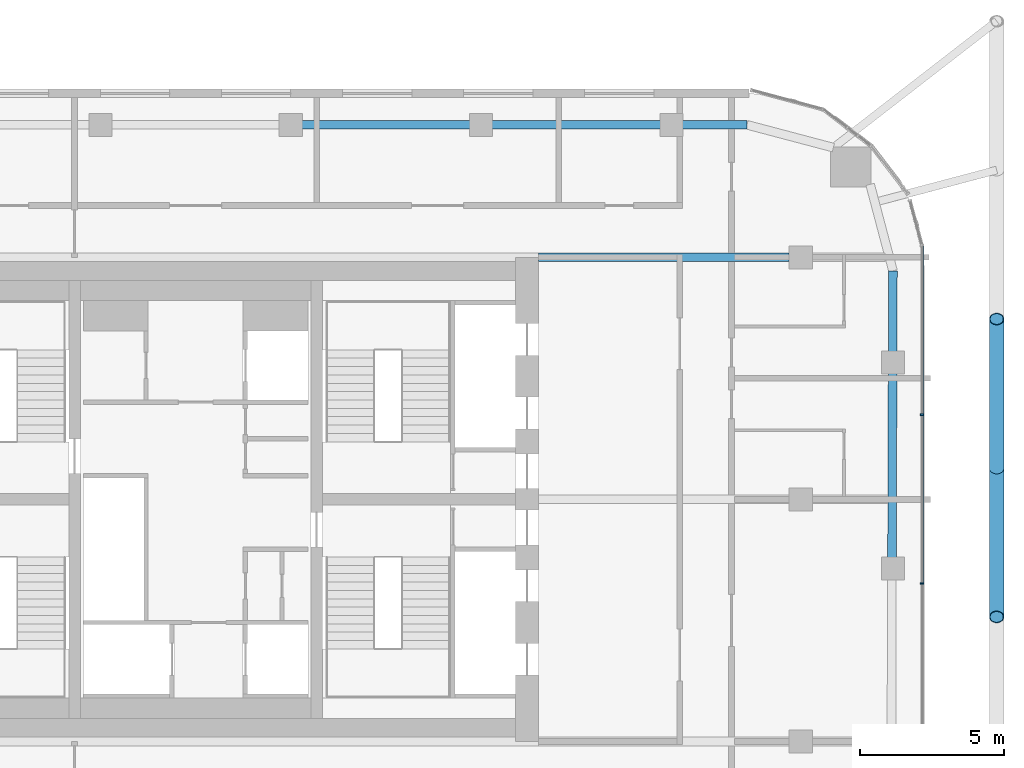
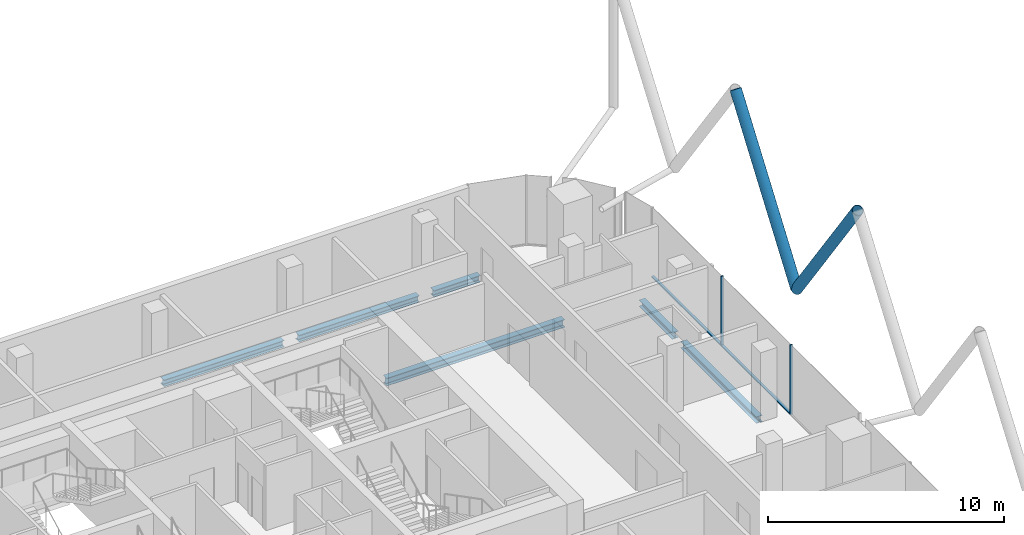
# One storey, part 10 of 31: 6 beams, 6 members, 1 element without a shape of its own.
"""IFC4 building model written with IfcOpenShell, lengths in metres."""

from ifc_helpers import new_model, si_unit, direction, frame, origin, origin_2d, place, context, subcontext, project, spatial, rectangle, hollow_circle, i_section, extrude, material, layer, layer_set, material_profile, profile_set, type_object, element, aggregate, save


model = new_model("IFC4")

# Units and contexts
model_context = context("Model", 3, precision=1e-05, world=origin(), true_north=direction((0.0, 1.0)))
body_context = subcontext(model_context, "Body", "Model", "MODEL_VIEW")
ifc_project = project(units=[si_unit("LENGTHUNIT", "METRE"), si_unit("AREAUNIT", "SQUARE_METRE"), si_unit("VOLUMEUNIT", "CUBIC_METRE"), si_unit("PLANEANGLEUNIT", "RADIAN"), si_unit("MASSUNIT", "GRAM", prefix="KILO")], contexts=[model_context])

# Site, building, storey
site_placement = place(None, origin())
site = spatial("IfcSite", under=ifc_project, at=site_placement, CompositionType="ELEMENT")
building_placement = place(site_placement, origin())
building = spatial("IfcBuilding", under=site, at=building_placement, Name="Marenta Gate Hotel Tower", CompositionType="ELEMENT")
storey_placement = place(building_placement, frame((0.0, 0.0, 205.699951171875)))
storey = spatial("IfcBuildingStorey", under=building, at=storey_placement, Name="L47", CompositionType="ELEMENT", Elevation=205.699951171875)

# Members
ifc_material_1 = material(Name="Steel S355J2W", Category="steel")
ifc_material_profile_1 = material_profile(ifc_material_1, hollow_circle(Radius=0.25390625, WallThickness=0.02490234375, at=origin_2d()), Name="CHS 508x25")
ifc_profile_set_1 = profile_set([ifc_material_profile_1], Name="Steel S355J2W")
member_type_1 = type_object("IfcMemberType", Name="Diagrid diagonal Z3 CHS 508x25", PredefinedType="BRACE", material=ifc_profile_set_1)
member_1_placement = place(storey_placement, frame((27.800048828125, 9.489990234375, 3.14013671875), z_axis=(0.0, 0.583260841117, 0.812284919975), x_axis=(-1.0, 0.0, 0.0)))
element("IfcMember", 1, at=member_1_placement, inside=storey, type_object=member_type_1, Name="L47-DG-3", PredefinedType="BRACE", context=body_context, shape_type="SweptSolid", body=[
    extrude(hollow_circle(Radius=0.25390625, WallThickness=0.02490234375, at=origin_2d()), origin(), (0.0, 0.0, 1.0), 8.86376953125),
])
member_2_placement = place(storey_placement, frame((27.800048828125, 9.489990234375, 3.14013671875), z_axis=(0.0, -0.583279014058, 0.812271870595), x_axis=(1.0, 0.0, 0.0)))
element("IfcMember", 2, at=member_2_placement, inside=storey, type_object=member_type_1, Name="L47-DG-4", PredefinedType="BRACE", context=body_context, shape_type="SweptSolid", body=[
    extrude(hollow_circle(Radius=0.25390625, WallThickness=0.02490234375, at=origin_2d()), origin(), (0.0, 0.0, 1.0), 8.864013671875),
])

# Beams
ifc_material_2 = material(Name="Steel S355", Category="steel")
ifc_material_profile_2 = material_profile(ifc_material_2, i_section(OverallWidth=0.300048828125, OverallDepth=0.340087890625, WebThickness=0.011962890625, FlangeThickness=0.021484375, FilletRadius=0.027099609375, at=origin_2d()), Name="HEB 340")
ifc_profile_set_2 = profile_set([ifc_material_profile_2], Name="Steel S355")
beam_type_1 = type_object("IfcBeamType", Name="Edge beam HEB 340", PredefinedType="SPANDREL", material=ifc_profile_set_2)
for number, where, z_axis, x_axis, name in (
    (3, (3.661376953125, 21.39990234375, -0.429931640625), (1.0, 0.0, 0.0), (0.0, 1.0, 0.0), "L47-EB-17"),
    (4, (10.26416015625, 21.39990234375, -0.429931640625), (1.0, 0.0, 0.0), (0.0, 1.0, 0.0), "L47-EB-18"),
):
    element("IfcBeam", number, at=place(storey_placement, frame(where, z_axis=z_axis, x_axis=x_axis)), inside=storey, type_object=beam_type_1, Name=name, PredefinedType="SPANDREL", context=body_context, shape_type="SweptSolid", body=[
        extrude(i_section(OverallWidth=0.300048828125, OverallDepth=0.340087890625, WebThickness=0.011962890625, FlangeThickness=0.021484375, FilletRadius=0.027099609375, at=origin_2d()), origin(), (0.0, 0.0, 1.0), 5.8828125),
    ])
beam_1_placement = place(storey_placement, frame((16.866943359375, 21.39990234375, -0.429931640625), z_axis=(1.0, 0.0, 0.0), x_axis=(0.0, 1.0, 0.0)))
element("IfcBeam", 5, at=beam_1_placement, inside=storey, type_object=beam_type_1, Name="L47-EB-19", PredefinedType="SPANDREL", context=body_context, shape_type="SweptSolid", body=[
    extrude(i_section(OverallWidth=0.300048828125, OverallDepth=0.340087890625, WebThickness=0.011962890625, FlangeThickness=0.021484375, FilletRadius=0.027099609375, at=origin_2d()), origin(), (0.0, 0.0, 1.0), 2.267578125),
])
beam_2_placement = place(storey_placement, frame((24.199951171875, 16.33447265625, -0.429931640625), z_axis=(-0.003292020626, -0.999994581285, 0.0), x_axis=(0.999994581285, -0.003292020626, 0.0)))
element("IfcBeam", 6, at=beam_2_placement, inside=storey, type_object=beam_type_1, Name="L47-EB-22", PredefinedType="SPANDREL", context=body_context, shape_type="SweptSolid", body=[
    extrude(i_section(OverallWidth=0.300048828125, OverallDepth=0.340087890625, WebThickness=0.011962890625, FlangeThickness=0.021484375, FilletRadius=0.027099609375, at=origin_2d()), origin(), (0.0, 0.0, 1.0), 2.818115234375),
])
beam_3_placement = place(storey_placement, frame((24.188232421875, 12.79638671875, -0.429931640625), z_axis=(-0.00333963982, -0.999994423387, 0.0), x_axis=(0.999994423387, -0.00333963982, 0.0)))
element("IfcBeam", 7, at=beam_3_placement, inside=storey, type_object=beam_type_1, Name="L47-EB-23", PredefinedType="SPANDREL", context=body_context, shape_type="SweptSolid", body=[
    extrude(i_section(OverallWidth=0.300048828125, OverallDepth=0.340087890625, WebThickness=0.011962890625, FlangeThickness=0.021484375, FilletRadius=0.027099609375, at=origin_2d()), origin(), (0.0, 0.0, 1.0), 6.43310546875),
])
ifc_material_3 = material(Name="Steel S355", Category="steel")
ifc_material_profile_3 = material_profile(ifc_material_3, i_section(OverallWidth=0.300048828125, OverallDepth=0.39990234375, WebThickness=0.013427734375, FlangeThickness=0.02392578125, FilletRadius=0.027099609375, at=origin_2d()), Name="HEB 400")
ifc_profile_set_3 = profile_set([ifc_material_profile_3], Name="Steel S355")
beam_type_2 = type_object("IfcBeamType", Name="Girder HEB 400", PredefinedType="BEAM", material=ifc_profile_set_3)
beam_4_placement = place(storey_placement, frame((11.89990234375, 16.800048828125, -0.4599609375), z_axis=(1.0, 0.0, 0.0), x_axis=(0.0, 1.0, 0.0)))
element("IfcBeam", 8, at=beam_4_placement, inside=storey, type_object=beam_type_2, Name="L47-GD-32", PredefinedType="BEAM", context=body_context, shape_type="SweptSolid", body=[
    extrude(i_section(OverallWidth=0.300048828125, OverallDepth=0.39990234375, WebThickness=0.013427734375, FlangeThickness=0.02392578125, FilletRadius=0.027099609375, at=origin_2d()), origin(), (0.0, 0.0, 1.0), 8.7001953125),
])

# Curtain wall, members
ifc_material_4 = material(Name="Tinted insulated glass in bronze anodised frame", Category="glass")
ifc_layer = layer(ifc_material_4, 0.1201171875)
ifc_layer_set = layer_set([ifc_layer], Name="Tinted insulated glass in bronze anodised frame")
curtain_wall_type = type_object("IfcCurtainWallType", Name="Tower unitised curtain wall CW1", PredefinedType="NOTDEFINED", material=ifc_layer_set)
curtain_wall_placement = place(storey_placement, origin())
curtain_wall = element("IfcCurtainWall", 9, at=curtain_wall_placement, inside=storey, type_object=curtain_wall_type, Name="CW1 run G34", PredefinedType="NOTDEFINED")
ifc_material_5 = material(Name="Bronze anodised aluminium", Category="aluminium")
ifc_material_profile_4 = material_profile(ifc_material_5, rectangle(XDim=0.1201171875, YDim=0.06005859375, at=origin_2d()), Name="Mullion CW1 60x120 bronze anodised aluminium")
ifc_profile_set_4 = profile_set([ifc_material_profile_4], Name="Bronze anodised aluminium")
member_type_2 = type_object("IfcMemberType", Name="Mullion CW1 60x120 bronze anodised aluminium", PredefinedType="MULLION", material=ifc_profile_set_4)
member_3_placement = place(storey_placement, frame((25.214111328125, 5.4853515625, 0.0), z_axis=(0.0, 0.0, 1.0), x_axis=(-1.0, 0.0, 0.0)))
member_3 = element("IfcMember", 10, at=member_3_placement, type_object=member_type_2, Name="CW1 mullion 2", PredefinedType="MULLION", context=body_context, shape_type="SweptSolid", body=[
    extrude(rectangle(XDim=0.1201171875, YDim=0.06005859375, at=origin_2d()), origin(), (0.0, 0.0, 1.0), 3.60009765625),
])
member_4_placement = place(storey_placement, frame((25.214111328125, 11.338623046875, 0.0), z_axis=(0.0, 0.0, 1.0), x_axis=(-1.0, 0.0, 0.0)))
member_4 = element("IfcMember", 11, at=member_4_placement, type_object=member_type_2, Name="CW1 mullion 3", PredefinedType="MULLION", context=body_context, shape_type="SweptSolid", body=[
    extrude(rectangle(XDim=0.1201171875, YDim=0.06005859375, at=origin_2d()), origin(), (0.0, 0.0, 1.0), 3.60009765625),
])
ifc_material_6 = material(Name="Bronze anodised aluminium", Category="aluminium")
ifc_material_profile_5 = material_profile(ifc_material_6, rectangle(XDim=0.1201171875, YDim=0.06005859375, at=origin_2d()), Name="Transom CW1 60x120 bronze anodised aluminium")
ifc_profile_set_5 = profile_set([ifc_material_profile_5], Name="Bronze anodised aluminium")
member_type_3 = type_object("IfcMemberType", Name="Transom CW1 60x120 bronze anodised aluminium", PredefinedType="USERDEFINED", material=ifc_profile_set_5)
member_5_placement = place(storey_placement, frame((25.214111328125, 5.515380859375, 0.030029296875), z_axis=(0.0, 1.0, 0.0), x_axis=(-1.0, 0.0, 0.0)))
member_5 = element("IfcMember", 12, at=member_5_placement, type_object=member_type_3, Name="CW1 transom 2.1", ObjectType="TRANSOM", PredefinedType="USERDEFINED", context=body_context, shape_type="SweptSolid", body=[
    extrude(rectangle(XDim=0.1201171875, YDim=0.06005859375, at=origin_2d()), origin(), (0.0, 0.0, 1.0), 5.793212890625),
])
member_6_placement = place(storey_placement, frame((25.214111328125, 11.36865234375, 0.030029296875), z_axis=(0.0, 1.0, 0.0), x_axis=(-1.0, 0.0, 0.0)))
member_6 = element("IfcMember", 13, at=member_6_placement, type_object=member_type_3, Name="CW1 transom 3.1", ObjectType="TRANSOM", PredefinedType="USERDEFINED", context=body_context, shape_type="SweptSolid", body=[
    extrude(rectangle(XDim=0.1201171875, YDim=0.06005859375, at=origin_2d()), origin(), (0.0, 0.0, 1.0), 5.8232421875),
])
aggregate(curtain_wall, [member_3, member_4, member_5, member_6])

save(model, "model.ifc")
